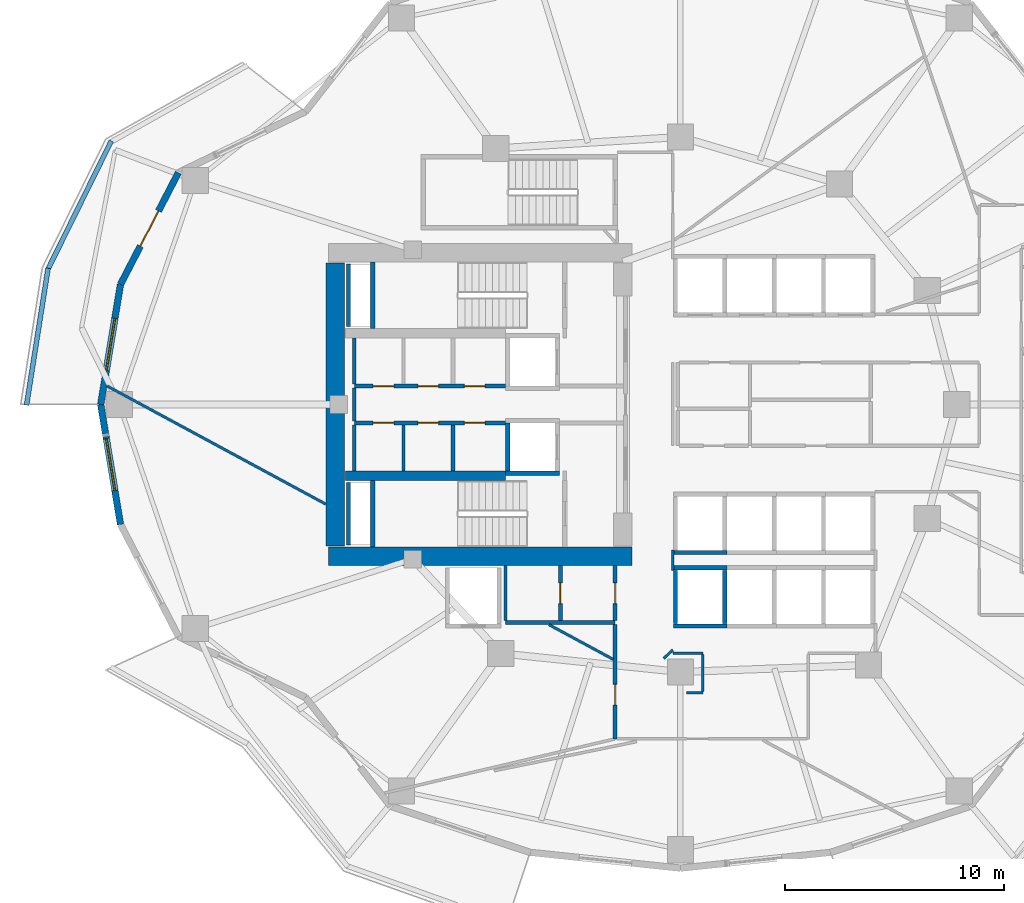
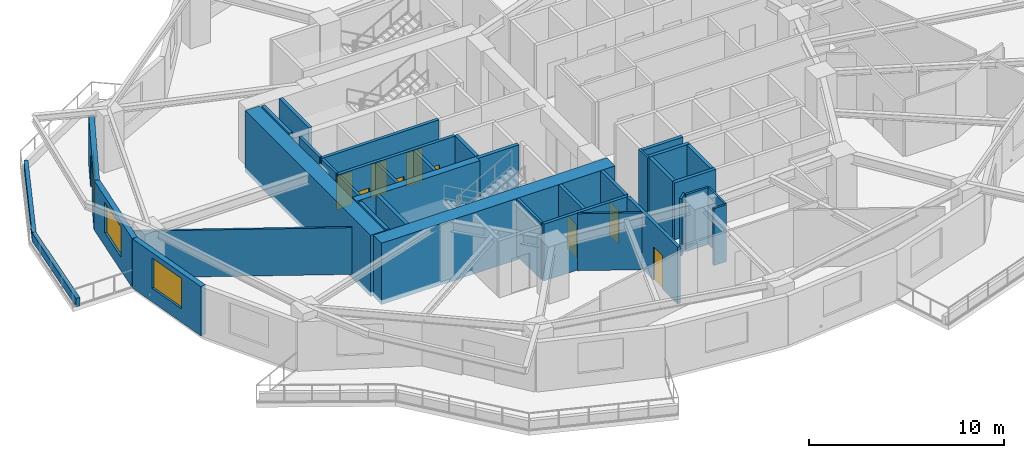
# One storey, part 3 of 11: 38 walls, 10 doors, 2 windows, 12 openings.
"""IFC4 building model written with IfcOpenShell, lengths in metres."""

from ifc_helpers import new_model, si_unit, direction, frame, frame_2d, origin, place, context, subcontext, project, spatial, rectangle, extrude, material, layer, layer_set, type_object, element, fill, save


model = new_model("IFC4")

# Units and contexts
model_context = context("Model", 3, precision=1e-05, world=origin(), true_north=direction((0.0, 1.0)))
body_context = subcontext(model_context, "Body", "Model", "MODEL_VIEW")
ifc_project = project(units=[si_unit("LENGTHUNIT", "METRE"), si_unit("AREAUNIT", "SQUARE_METRE"), si_unit("VOLUMEUNIT", "CUBIC_METRE"), si_unit("PLANEANGLEUNIT", "RADIAN"), si_unit("MASSUNIT", "GRAM", prefix="KILO")], contexts=[model_context])

# Site, building, storey
site_placement = place(None, origin())
site = spatial("IfcSite", under=ifc_project, at=site_placement, CompositionType="ELEMENT")
building_placement = place(site_placement, origin())
building = spatial("IfcBuilding", under=site, at=building_placement, Name="Kolvaren Gate Tower and Convention Centre", CompositionType="ELEMENT")
storey_placement = place(building_placement, frame((0.0, 0.0, 88.10009765625)))
storey = spatial("IfcBuildingStorey", under=building, at=storey_placement, Name="L21", CompositionType="ELEMENT", Elevation=88.10009765625)

# Wall, openings, doors
ifc_material_1 = material(Name="Autoclaved Aerated Masonry Blockwork Class 4 (4.0 MPa)", Category="masonry")
ifc_layer_1 = layer(ifc_material_1, 0.179931640625)
ifc_layer_set_1 = layer_set([ifc_layer_1], Name="Autoclaved Aerated Masonry Blockwork Class 4 (4.0 MPa)")
wall_type_1 = type_object("IfcWallType", Name="ARCH-WL-COMP-180", PredefinedType="SOLIDWALL", material=ifc_layer_set_1)
wall_1_placement = place(storey_placement, frame((15.25, 27.840087890625, 0.0), z_axis=(0.0, 0.0, 1.0), x_axis=(1.0, 0.0, 0.0)))
wall_1 = element("IfcWall", 1, at=wall_1_placement, inside=storey, type_object=wall_type_1, Name="Interior Partition WL-L21-INT-004", PredefinedType="SOLIDWALL", context=body_context, shape_type="SweptSolid", body=[
    extrude(rectangle(XDim=6.89990234375, YDim=0.179931640625, at=frame_2d((3.449951171875, 0.0))), origin(), (0.0, 0.0, 1.0), 3.56982421875),
])
opening_1_placement = place(wall_1_placement, frame((5.02001953125, 0.0, 0.0)))
opening_1 = element("IfcOpeningElement", 2, at=opening_1_placement, cuts=wall_1, Name="Opening DR-01", PredefinedType="OPENING", context=body_context, shape_type="SweptSolid", body=[
    extrude(rectangle(XDim=0.949951171875, YDim=2.10009765625, at=frame_2d((0.47509765625, 1.050048828125))), frame((0.0, 0.099853515625, 0.0), z_axis=(0.0, -1.0, 0.0), x_axis=(1.0, 0.0, 0.0)), (0.0, 0.0, 1.0), 0.199951171875),
])
opening_2_placement = place(wall_1_placement, frame((0.85498046875, 0.0, 0.0)))
opening_2 = element("IfcOpeningElement", 3, at=opening_2_placement, cuts=wall_1, Name="Opening DR-01", PredefinedType="OPENING", context=body_context, shape_type="SweptSolid", body=[
    extrude(rectangle(XDim=0.949951171875, YDim=2.10009765625, at=frame_2d((0.47509765625, 1.050048828125))), frame((0.0, 0.099853515625, 0.0), z_axis=(0.0, -1.0, 0.0), x_axis=(1.0, 0.0, 0.0)), (0.0, 0.0, 1.0), 0.199951171875),
])
opening_3_placement = place(wall_1_placement, frame((2.89990234375, 0.0, 0.0)))
opening_3 = element("IfcOpeningElement", 4, at=opening_3_placement, cuts=wall_1, Name="Opening DR-01", PredefinedType="OPENING", context=body_context, shape_type="SweptSolid", body=[
    extrude(rectangle(XDim=0.949951171875, YDim=2.10009765625, at=frame_2d((0.47509765625, 1.050048828125))), frame((0.0, 0.099853515625, 0.0), z_axis=(0.0, -1.0, 0.0), x_axis=(1.0, 0.0, 0.0)), (0.0, 0.0, 1.0), 0.199951171875),
])
ifc_material_2 = material(Name="Painted Architectural Steelwork ASTM A500 Grade C 345 MPa", Category="steel")
door_type_1 = type_object("IfcDoorType", Name="ARCH-DR-RISER-950", OperationType="SINGLE_SWING_RIGHT", PredefinedType="DOOR", material=ifc_material_2)
door_1_placement = place(opening_1_placement, origin())
door_1 = element("IfcDoor", 5, at=door_1_placement, inside=storey, type_object=door_type_1, Name="Electrical Switchgear Closet Door", OperationType="SINGLE_SWING_RIGHT", OverallHeight=2.10009765625, OverallWidth=0.949951171875, PredefinedType="DOOR", context=body_context, shape_type="SweptSolid", body=[
    extrude(rectangle(XDim=0.949951171875, YDim=2.10009765625, at=frame_2d((0.47509765625, 1.050048828125))), frame((0.0, 0.02490234375, 0.0), z_axis=(0.0, -1.0, 0.0), x_axis=(1.0, 0.0, 0.0)), (0.0, 0.0, 1.0), 0.050048828125),
])
fill(opening_1, door_1)
door_2_placement = place(opening_2_placement, origin())
door_2 = element("IfcDoor", 6, at=door_2_placement, inside=storey, type_object=door_type_1, Name="Staff Accessible WC Door", OperationType="SINGLE_SWING_RIGHT", OverallHeight=2.10009765625, OverallWidth=0.949951171875, PredefinedType="DOOR", context=body_context, shape_type="SweptSolid", body=[
    extrude(rectangle(XDim=0.949951171875, YDim=2.10009765625, at=frame_2d((0.47509765625, 1.050048828125))), frame((0.0, 0.02490234375, 0.0), z_axis=(0.0, -1.0, 0.0), x_axis=(1.0, 0.0, 0.0)), (0.0, 0.0, 1.0), 0.050048828125),
])
fill(opening_2, door_2)
door_3_placement = place(opening_3_placement, origin())
door_3 = element("IfcDoor", 7, at=door_3_placement, inside=storey, type_object=door_type_1, Name="Housekeeping Sink Closet Door", OperationType="SINGLE_SWING_LEFT", OverallHeight=2.10009765625, OverallWidth=0.949951171875, PredefinedType="DOOR", context=body_context, shape_type="SweptSolid", body=[
    extrude(rectangle(XDim=0.949951171875, YDim=2.10009765625, at=frame_2d((0.47509765625, 1.050048828125))), frame((0.0, 0.02490234375, 0.0), z_axis=(0.0, -1.0, 0.0), x_axis=(1.0, 0.0, 0.0)), (0.0, 0.0, 1.0), 0.050048828125),
])
fill(opening_3, door_3)

wall_2_placement = place(storey_placement, frame((15.25, 26.159912109375, 0.0), z_axis=(0.0, 0.0, 1.0), x_axis=(1.0, 0.0, 0.0)))
wall_2 = element("IfcWall", 8, at=wall_2_placement, inside=storey, type_object=wall_type_1, Name="Interior Partition WL-L21-INT-005", PredefinedType="SOLIDWALL", context=body_context, shape_type="SweptSolid", body=[
    extrude(rectangle(XDim=6.89990234375, YDim=0.179931640625, at=frame_2d((3.449951171875, 0.0))), origin(), (0.0, 0.0, 1.0), 3.56982421875),
])
opening_4_placement = place(wall_2_placement, frame((5.02001953125, 0.0, 0.0)))
opening_4 = element("IfcOpeningElement", 9, at=opening_4_placement, cuts=wall_2, Name="Opening DR-01", PredefinedType="OPENING", context=body_context, shape_type="SweptSolid", body=[
    extrude(rectangle(XDim=0.949951171875, YDim=2.10009765625, at=frame_2d((0.47509765625, 1.050048828125))), frame((0.0, 0.099853515625, 0.0), z_axis=(0.0, -1.0, 0.0), x_axis=(1.0, 0.0, 0.0)), (0.0, 0.0, 1.0), 0.199951171875),
])
opening_5_placement = place(wall_2_placement, frame((0.85498046875, 0.0, 0.0)))
opening_5 = element("IfcOpeningElement", 10, at=opening_5_placement, cuts=wall_2, Name="Opening DR-01", PredefinedType="OPENING", context=body_context, shape_type="SweptSolid", body=[
    extrude(rectangle(XDim=0.949951171875, YDim=2.10009765625, at=frame_2d((0.47509765625, 1.050048828125))), frame((0.0, 0.099853515625, 0.0), z_axis=(0.0, -1.0, 0.0), x_axis=(1.0, 0.0, 0.0)), (0.0, 0.0, 1.0), 0.199951171875),
])
opening_6_placement = place(wall_2_placement, frame((2.89990234375, 0.0, 0.0)))
opening_6 = element("IfcOpeningElement", 11, at=opening_6_placement, cuts=wall_2, Name="Opening DR-01", PredefinedType="OPENING", context=body_context, shape_type="SweptSolid", body=[
    extrude(rectangle(XDim=0.949951171875, YDim=2.10009765625, at=frame_2d((0.47509765625, 1.050048828125))), frame((0.0, 0.099853515625, 0.0), z_axis=(0.0, -1.0, 0.0), x_axis=(1.0, 0.0, 0.0)), (0.0, 0.0, 1.0), 0.199951171875),
])
door_4_placement = place(opening_4_placement, origin())
door_4 = element("IfcDoor", 12, at=door_4_placement, inside=storey, type_object=door_type_1, Name="Domestic Water Meter Closet Door", OperationType="SINGLE_SWING_LEFT", OverallHeight=2.10009765625, OverallWidth=0.949951171875, PredefinedType="DOOR", context=body_context, shape_type="SweptSolid", body=[
    extrude(rectangle(XDim=0.949951171875, YDim=2.10009765625, at=frame_2d((0.47509765625, 1.050048828125))), frame((0.0, 0.02490234375, 0.0), z_axis=(0.0, -1.0, 0.0), x_axis=(1.0, 0.0, 0.0)), (0.0, 0.0, 1.0), 0.050048828125),
])
fill(opening_4, door_4)
door_5_placement = place(opening_5_placement, origin())
door_5 = element("IfcDoor", 13, at=door_5_placement, inside=storey, type_object=door_type_1, Name="Beverage Service Pantry Door", OperationType="SINGLE_SWING_RIGHT", OverallHeight=2.10009765625, OverallWidth=0.949951171875, PredefinedType="DOOR", context=body_context, shape_type="SweptSolid", body=[
    extrude(rectangle(XDim=0.949951171875, YDim=2.10009765625, at=frame_2d((0.47509765625, 1.050048828125))), frame((0.0, 0.02490234375, 0.0), z_axis=(0.0, -1.0, 0.0), x_axis=(1.0, 0.0, 0.0)), (0.0, 0.0, 1.0), 0.050048828125),
])
fill(opening_5, door_5)
door_6_placement = place(opening_6_placement, origin())
door_6 = element("IfcDoor", 14, at=door_6_placement, inside=storey, type_object=door_type_1, Name="Archive Supply Closet Door", OperationType="SINGLE_SWING_LEFT", OverallHeight=2.10009765625, OverallWidth=0.949951171875, PredefinedType="DOOR", context=body_context, shape_type="SweptSolid", body=[
    extrude(rectangle(XDim=0.949951171875, YDim=2.10009765625, at=frame_2d((0.47509765625, 1.050048828125))), frame((0.0, 0.02490234375, 0.0), z_axis=(0.0, -1.0, 0.0), x_axis=(1.0, 0.0, 0.0)), (0.0, 0.0, 1.0), 0.050048828125),
])
fill(opening_6, door_6)

# Walls
wall_3_placement = place(storey_placement, frame((19.75, 23.9619140625, 0.0), z_axis=(0.0, 0.0, 1.0), x_axis=(0.0, 1.0, 0.0)))
element("IfcWall", 15, at=wall_3_placement, inside=storey, type_object=wall_type_1, Name="Interior Partition WL-L21-INT-007", PredefinedType="SOLIDWALL", context=body_context, shape_type="SweptSolid", body=[
    extrude(rectangle(XDim=2.106201171875, YDim=0.179931640625, at=frame_2d((1.05322265625, 0.0))), origin(), (0.0, 0.0, 1.0), 3.56982421875),
])
wall_4_placement = place(storey_placement, frame((22.14990234375, 17.050048828125, 0.0), z_axis=(0.0, 0.0, 1.0), x_axis=(1.0, 0.0, 0.0)))
element("IfcWall", 16, at=wall_4_placement, inside=storey, type_object=wall_type_1, Name="Interior Partition WL-L21-INT-011", PredefinedType="SOLIDWALL", context=body_context, shape_type="SweptSolid", body=[
    extrude(rectangle(XDim=5.0, YDim=0.179931640625, at=frame_2d((2.5, 0.0))), origin(), (0.0, 0.0, 1.0), 3.56982421875),
])

# Wall, opening, door
wall_5_placement = place(storey_placement, frame((24.64990234375, 17.14208984375, 0.0), z_axis=(0.0, 0.0, 1.0), x_axis=(0.0, 1.0, 0.0)))
wall_5 = element("IfcWall", 17, at=wall_5_placement, inside=storey, type_object=wall_type_1, Name="Interior Partition WL-L21-INT-013", PredefinedType="SOLIDWALL", context=body_context, shape_type="SweptSolid", body=[
    extrude(rectangle(XDim=2.505859375, YDim=0.179931640625, at=frame_2d((1.2529296875, 0.0))), origin(), (0.0, 0.0, 1.0), 3.56982421875),
])
opening_7_placement = place(wall_5_placement, frame((0.778076171875, 0.0, 0.0)))
opening_7 = element("IfcOpeningElement", 18, at=opening_7_placement, cuts=wall_5, Name="Opening DR-01", PredefinedType="OPENING", context=body_context, shape_type="SweptSolid", body=[
    extrude(rectangle(XDim=0.949951171875, YDim=2.10009765625, at=frame_2d((0.47509765625, 1.050048828125))), frame((0.0, 0.099853515625, 0.0), z_axis=(0.0, -1.0, 0.0), x_axis=(1.0, 0.0, 0.0)), (0.0, 0.0, 1.0), 0.199951171875),
])
door_7_placement = place(opening_7_placement, origin())
door_7 = element("IfcDoor", 19, at=door_7_placement, inside=storey, type_object=door_type_1, Name="West Valet Store Door", OperationType="SINGLE_SWING_LEFT", OverallHeight=2.10009765625, OverallWidth=0.949951171875, PredefinedType="DOOR", context=body_context, shape_type="SweptSolid", body=[
    extrude(rectangle(XDim=0.949951171875, YDim=2.10009765625, at=frame_2d((0.47509765625, 1.050048828125))), frame((0.0, 0.02490234375, 0.0), z_axis=(0.0, -1.0, 0.0), x_axis=(1.0, 0.0, 0.0)), (0.0, 0.0, 1.0), 0.050048828125),
])
fill(opening_7, door_7)

wall_6_placement = place(storey_placement, frame((27.14990234375, 11.75, 0.0), z_axis=(0.0, 0.0, 1.0), x_axis=(0.0, 1.0, 0.0)))
wall_6 = element("IfcWall", 20, at=wall_6_placement, inside=storey, type_object=wall_type_1, Name="Interior Partition WL-L21-INT-014", PredefinedType="SOLIDWALL", context=body_context, shape_type="SweptSolid", body=[
    extrude(rectangle(XDim=5.2080078125, YDim=0.179931640625, at=frame_2d((2.60400390625, 0.0))), origin(), (0.0, 0.0, 1.0), 3.56982421875),
])
opening_8_placement = place(wall_6_placement, frame((1.535400390625, 0.0, 0.0)))
opening_8 = element("IfcOpeningElement", 21, at=opening_8_placement, cuts=wall_6, Name="Opening DR-01", PredefinedType="OPENING", context=body_context, shape_type="SweptSolid", body=[
    extrude(rectangle(XDim=0.949951171875, YDim=2.10009765625, at=frame_2d((0.47509765625, 1.050048828125))), frame((0.0, 0.099853515625, 0.0), z_axis=(0.0, -1.0, 0.0), x_axis=(1.0, 0.0, 0.0)), (0.0, 0.0, 1.0), 0.199951171875),
])
door_8_placement = place(opening_8_placement, origin())
door_8 = element("IfcDoor", 22, at=door_8_placement, inside=storey, type_object=door_type_1, Name="Conference and Training Seminar Room Door", OperationType="SINGLE_SWING_LEFT", OverallHeight=2.10009765625, OverallWidth=0.949951171875, PredefinedType="DOOR", context=body_context, shape_type="SweptSolid", body=[
    extrude(rectangle(XDim=0.949951171875, YDim=2.10009765625, at=frame_2d((0.47509765625, 1.050048828125))), frame((0.0, 0.02490234375, 0.0), z_axis=(0.0, -1.0, 0.0), x_axis=(1.0, 0.0, 0.0)), (0.0, 0.0, 1.0), 0.050048828125),
])
fill(opening_8, door_8)

wall_7_placement = place(storey_placement, frame((27.14990234375, 17.14208984375, 0.0), z_axis=(0.0, 0.0, 1.0), x_axis=(0.0, 1.0, 0.0)))
wall_7 = element("IfcWall", 23, at=wall_7_placement, inside=storey, type_object=wall_type_1, Name="Interior Partition WL-L21-INT-014 (2)", PredefinedType="SOLIDWALL", context=body_context, shape_type="SweptSolid", body=[
    extrude(rectangle(XDim=2.505859375, YDim=0.179931640625, at=frame_2d((1.2529296875, 0.0))), origin(), (0.0, 0.0, 1.0), 3.56982421875),
])
opening_9_placement = place(wall_7_placement, frame((0.778076171875, 0.0, 0.0)))
opening_9 = element("IfcOpeningElement", 24, at=opening_9_placement, cuts=wall_7, Name="Opening DR-01", PredefinedType="OPENING", context=body_context, shape_type="SweptSolid", body=[
    extrude(rectangle(XDim=0.949951171875, YDim=2.10009765625, at=frame_2d((0.47509765625, 1.050048828125))), frame((0.0, 0.099853515625, 0.0), z_axis=(0.0, -1.0, 0.0), x_axis=(1.0, 0.0, 0.0)), (0.0, 0.0, 1.0), 0.199951171875),
])
door_9_placement = place(opening_9_placement, origin())
door_9 = element("IfcDoor", 25, at=door_9_placement, inside=storey, type_object=door_type_1, Name="Metering Switch Room Door", OperationType="SINGLE_SWING_RIGHT", OverallHeight=2.10009765625, OverallWidth=0.949951171875, PredefinedType="DOOR", context=body_context, shape_type="SweptSolid", body=[
    extrude(rectangle(XDim=0.949951171875, YDim=2.10009765625, at=frame_2d((0.47509765625, 1.050048828125))), frame((0.0, 0.02490234375, 0.0), z_axis=(0.0, -1.0, 0.0), x_axis=(1.0, 0.0, 0.0)), (0.0, 0.0, 1.0), 0.050048828125),
])
fill(opening_9, door_9)

# Walls
ifc_material_3 = material(Name="Fire-Rated Acoustic Gypsum Stud Partition", Category="gypsum")
ifc_layer_2 = layer(ifc_material_3, 0.1201171875)
ifc_layer_set_2 = layer_set([ifc_layer_2], Name="Fire-Rated Acoustic Gypsum Stud Partition")
wall_type_2 = type_object("IfcWallType", Name="ARCH-WL-PART-120", PredefinedType="PARTITIONING", material=ifc_layer_set_2)
wall_8_placement = place(storey_placement, frame((29.780029296875, 15.64990234375, 0.0), z_axis=(0.0, 0.0, 1.0), x_axis=(1.0, 0.0, 0.0)))
element("IfcWall", 26, at=wall_8_placement, inside=storey, type_object=wall_type_2, Name="Interior Partition WL-L21-INT-022", PredefinedType="PARTITIONING", context=body_context, shape_type="SweptSolid", body=[
    extrude(rectangle(XDim=1.369873046875, YDim=0.1201171875, at=frame_2d((0.68505859375, 0.0))), origin(), (0.0, 0.0, 1.0), 3.56982421875),
])
wall_9_placement = place(storey_placement, frame((29.780029296875, 19.43994140625, 0.0), z_axis=(0.0, 0.0, 1.0), x_axis=(0.0, 1.0, 0.0)))
element("IfcWall", 27, at=wall_9_placement, inside=storey, type_object=wall_type_2, Name="Interior Partition WL-L21-INT-028", PredefinedType="PARTITIONING", context=body_context, shape_type="SweptSolid", body=[
    extrude(rectangle(XDim=0.920166015625, YDim=0.1201171875, at=frame_2d((0.4599609375, 0.0))), origin(), (0.0, 0.0, 1.0), 3.56982421875),
])
wall_10_placement = place(storey_placement, frame((29.366943359375, 15.422119140625, 0.0), z_axis=(0.0, 0.0, 1.0), x_axis=(0.730667420492, 0.682733564893, 0.0)))
element("IfcWall", 28, at=wall_10_placement, inside=storey, type_object=wall_type_2, Name="Interior Partition WL-L21-INT-045", PredefinedType="PARTITIONING", context=body_context, shape_type="SweptSolid", body=[
    extrude(rectangle(XDim=0.5654296875, YDim=0.1201171875, at=frame_2d((0.28271484375, 0.0))), origin(), (0.0, 0.0, 1.0), 3.56982421875),
])
wall_11_placement = place(storey_placement, frame((30.39111328125, 13.85009765625, 0.0), z_axis=(0.0, 0.0, 1.0), x_axis=(1.0, 0.0, 0.0)))
element("IfcWall", 29, at=wall_11_placement, inside=storey, type_object=wall_type_2, Name="Interior Partition WL-L21-INT-046", PredefinedType="PARTITIONING", context=body_context, shape_type="SweptSolid", body=[
    extrude(rectangle(XDim=0.7587890625, YDim=0.1201171875, at=frame_2d((0.37939453125, 0.0))), origin(), (0.0, 0.0, 1.0), 3.56982421875),
])
wall_12_placement = place(storey_placement, frame((31.14990234375, 13.912109375, 0.0), z_axis=(0.0, 0.0, 1.0), x_axis=(0.0, 1.0, 0.0)))
element("IfcWall", 30, at=wall_12_placement, inside=storey, type_object=wall_type_2, Name="Interior Partition WL-L21-INT-047", PredefinedType="PARTITIONING", context=body_context, shape_type="SweptSolid", body=[
    extrude(rectangle(XDim=1.67578125, YDim=0.1201171875, at=frame_2d((0.837890625, 0.0))), origin(), (0.0, 0.0, 1.0), 3.56982421875),
])
wall_13_placement = place(storey_placement, frame((3.97998046875, 27.841796875, 0.0), z_axis=(0.0, 0.0, 1.0), x_axis=(0.87986629228, -0.475221324974, 0.0)))
element("IfcWall", 31, at=wall_13_placement, inside=storey, type_object=wall_type_2, Name="Interior Partition WL-L21-INT-048", PredefinedType="PARTITIONING", context=body_context, shape_type="SweptSolid", body=[
    extrude(rectangle(XDim=11.3291015625, YDim=0.1201171875, at=frame_2d((5.66455078125, 0.0))), origin(), (0.0, 0.0, 1.0), 2.933837890625),
])
wall_14_placement = place(storey_placement, frame((24.131591796875, 16.9580078125, 0.0), z_axis=(0.0, 0.0, 1.0), x_axis=(0.879874093471, -0.475206880882, 0.0)))
element("IfcWall", 32, at=wall_14_placement, inside=storey, type_object=wall_type_2, Name="Interior Partition WL-L21-INT-049", PredefinedType="PARTITIONING", context=body_context, shape_type="SweptSolid", body=[
    extrude(rectangle(XDim=3.326171875, YDim=0.1201171875, at=frame_2d((1.6630859375, 0.0))), origin(), (0.0, 0.0, 1.0), 3.56982421875),
])
ifc_material_4 = material(Name="Piedmont Cream Honed Limestone Cladding", Category="masonry")
ifc_layer_3 = layer(ifc_material_4, 0.219970703125)
ifc_layer_set_3 = layer_set([ifc_layer_3], Name="Piedmont Cream Honed Limestone Cladding")
wall_type_3 = type_object("IfcWallType", Name="ARCH-WL-PLANTER-220", PredefinedType="PARAPET", material=ifc_layer_set_3)
wall_15_placement = place(storey_placement, frame((1.275390625, 33.153076171875, 0.0), z_axis=(0.0, 0.0, 1.0), x_axis=(0.442686636348, 0.89667638644, 0.0)))
element("IfcWall", 33, at=wall_15_placement, inside=storey, type_object=wall_type_3, Name="Vertical-Forest Balcony Stone Planter Kerb PK-L21-2.2", PredefinedType="PARAPET", context=body_context, shape_type="SweptSolid", body=[
    extrude(rectangle(XDim=6.544677734375, YDim=0.219970703125, at=frame_2d((3.2724609375, 0.0))), origin(), (0.0, 0.0, 1.0), 0.52001953125),
])
wall_16_placement = place(storey_placement, frame((0.305908203125, 26.970703125, 0.0), z_axis=(0.0, 0.0, 1.0), x_axis=(0.15545655238, 0.987842730561, 0.0)))
element("IfcWall", 34, at=wall_16_placement, inside=storey, type_object=wall_type_3, Name="Vertical-Forest Balcony Stone Planter Kerb PK-L21-2.3", PredefinedType="PARAPET", context=body_context, shape_type="SweptSolid", body=[
    extrude(rectangle(XDim=6.318115234375, YDim=0.219970703125, at=frame_2d((3.1591796875, 0.0))), origin(), (0.0, 0.0, 1.0), 0.52001953125),
])
ifc_layer_4 = layer(ifc_material_1, 0.199951171875)
ifc_layer_set_4 = layer_set([ifc_layer_4], Name="Autoclaved Aerated Masonry Blockwork Class 4 (4.0 MPa)")
wall_type_4 = type_object("IfcWallType", Name="ARCH-WL-SHAFT-200", PredefinedType="SOLIDWALL", material=ifc_layer_set_4)
wall_17_placement = place(storey_placement, frame((22.14990234375, 23.860107421875, 0.0), z_axis=(0.0, 0.0, 1.0), x_axis=(1.0, 0.0, 0.0)))
element("IfcWall", 35, at=wall_17_placement, inside=storey, type_object=wall_type_4, Name="Elevator FF-02 L21 Fire Shaft Wall S", PredefinedType="SOLIDWALL", context=body_context, shape_type="SweptSolid", body=[
    extrude(rectangle(XDim=2.4501953125, YDim=0.199951171875, at=frame_2d((1.22509765625, 0.0))), origin(), (0.0, 0.0, 1.0), 3.56982421875),
])
wall_18_placement = place(storey_placement, frame((22.25, 23.969970703125, 0.0), z_axis=(0.0, 0.0, 1.0), x_axis=(0.0, 1.0, 0.0)))
element("IfcWall", 36, at=wall_18_placement, inside=storey, type_object=wall_type_4, Name="Elevator FF-02 L21 Fire Shaft Wall W", PredefinedType="SOLIDWALL", context=body_context, shape_type="SweptSolid", body=[
    extrude(rectangle(XDim=2.179931640625, YDim=0.199951171875, at=frame_2d((1.08984375, 0.0))), origin(), (0.0, 0.0, 1.0), 3.56982421875),
])
for number, where, z_axis, x_axis, name in (
    (37, (29.800048828125, 19.550048828125, 0.0), (0.0, 0.0, 1.0), (1.0, 0.0, 0.0), "Elevator PL-05 L21 Fire Shaft Wall N"),
    (38, (29.800048828125, 16.89990234375, 0.0), (0.0, 0.0, 1.0), (1.0, 0.0, 0.0), "Elevator PL-05 L21 Fire Shaft Wall S"),
):
    element("IfcWall", number, at=place(storey_placement, frame(where, z_axis=z_axis, x_axis=x_axis)), inside=storey, type_object=wall_type_4, Name=name, PredefinedType="SOLIDWALL", context=body_context, shape_type="SweptSolid", body=[
        extrude(rectangle(XDim=2.449951171875, YDim=0.199951171875, at=frame_2d((1.22509765625, 0.0))), origin(), (0.0, 0.0, 1.0), 3.56982421875),
    ])
for number, where, z_axis, x_axis, name in (
    (39, (29.89990234375, 17.010009765625, 0.0), (0.0, 0.0, 1.0), (0.0, 1.0, 0.0), "Elevator PL-05 L21 Fire Shaft Wall W"),
    (40, (32.14990234375, 17.010009765625, 0.0), (0.0, 0.0, 1.0), (0.0, 1.0, 0.0), "Elevator PL-05 L21 Fire Shaft Wall E"),
):
    element("IfcWall", number, at=place(storey_placement, frame(where, z_axis=z_axis, x_axis=x_axis)), inside=storey, type_object=wall_type_4, Name=name, PredefinedType="SOLIDWALL", context=body_context, shape_type="SweptSolid", body=[
        extrude(rectangle(XDim=2.429931640625, YDim=0.199951171875, at=frame_2d((1.21484375, 0.0))), origin(), (0.0, 0.0, 1.0), 3.56982421875),
    ])
wall_19_placement = place(storey_placement, frame((29.800048828125, 20.25, 0.0), z_axis=(0.0, 0.0, 1.0), x_axis=(1.0, 0.0, 0.0)))
element("IfcWall", 41, at=wall_19_placement, inside=storey, type_object=wall_type_4, Name="Elevator PL-09 L21 Fire Shaft Wall S", PredefinedType="SOLIDWALL", context=body_context, shape_type="SweptSolid", body=[
    extrude(rectangle(XDim=2.449951171875, YDim=0.199951171875, at=frame_2d((1.22509765625, 0.0))), origin(), (0.0, 0.0, 1.0), 3.56982421875),
])
for number, where, z_axis, x_axis, name in (
    (42, (14.989990234375, 30.550048828125, 0.0), (0.0, 0.0, 1.0), (0.0, 1.0, 0.0), "Vertical Shaft HVR L21 EI-120 Enclosure Wall W"),
    (43, (14.989990234375, 20.60009765625, 0.0), (0.0, 0.0, 1.0), (0.0, 1.0, 0.0), "Vertical Shaft MPR L21 EI-120 Enclosure Wall W"),
):
    element("IfcWall", number, at=place(storey_placement, frame(where, z_axis=z_axis, x_axis=x_axis)), inside=storey, type_object=wall_type_4, Name=name, PredefinedType="SOLIDWALL", context=body_context, shape_type="SweptSolid", body=[
        extrude(rectangle(XDim=2.849853515625, YDim=0.199951171875, at=frame_2d((1.4248046875, 0.0))), origin(), (0.0, 0.0, 1.0), 3.56982421875),
    ])

# Wall, opening, door
ifc_layer_5 = layer(ifc_material_4, 0.300048828125)
ifc_layer_set_5 = layer_set([ifc_layer_5], Name="Piedmont Cream Honed Limestone Cladding")
wall_type_5 = type_object("IfcWallType", Name="ARCH-WL-STONE-300", PredefinedType="SOLIDWALL", material=ifc_layer_set_5)
wall_20_placement = place(storey_placement, frame((4.58837890625, 32.47412109375, 0.0), z_axis=(0.0, 0.0, 1.0), x_axis=(0.459800981414, 0.888021991558, 0.0)))
wall_20 = element("IfcWall", 44, at=wall_20_placement, inside=storey, type_object=wall_type_5, Name="Tower L21 Honed Stone Spandrel Wall EW-10", PredefinedType="SOLIDWALL", context=body_context, shape_type="SweptSolid", body=[
    extrude(rectangle(XDim=5.744140625, YDim=0.300048828125, at=frame_2d((2.8720703125, 0.0))), origin(), (0.0, 0.0, 1.0), 3.093017578125),
])
opening_10_placement = place(wall_20_placement, frame((1.971923828125, 0.0, 0.0)))
opening_10 = element("IfcOpeningElement", 45, at=opening_10_placement, cuts=wall_20, Name="Opening DB-01", PredefinedType="OPENING", context=body_context, shape_type="SweptSolid", body=[
    extrude(rectangle(XDim=1.800048828125, YDim=2.25, at=frame_2d((0.89990234375, 1.125))), frame((0.0, 0.159912109375, 0.0), z_axis=(0.0, -1.0, 0.0), x_axis=(1.0, 0.0, 0.0)), (0.0, 0.0, 1.0), 0.320068359375),
])
ifc_material_5 = material(Name="Anodized Architectural Aluminium Alloy 6063-T6", Category="aluminium")
door_type_2 = type_object("IfcDoorType", Name="ARCH-DR-BALC-1800", OperationType="SLIDING_TO_LEFT", PredefinedType="DOOR", material=ifc_material_5)
door_10_placement = place(opening_10_placement, origin())
door_10 = element("IfcDoor", 46, at=door_10_placement, inside=storey, type_object=door_type_2, Name="Planted Sky Terrace Access Door DB-L21-10", OperationType="SLIDING_TO_LEFT", OverallHeight=2.25, OverallWidth=1.800048828125, PredefinedType="DOOR", context=body_context, shape_type="SweptSolid", body=[
    extrude(rectangle(XDim=1.800048828125, YDim=2.25, at=frame_2d((0.89990234375, 1.125))), frame((0.0, 0.02490234375, 0.0), z_axis=(0.0, -1.0, 0.0), x_axis=(1.0, 0.0, 0.0)), (0.0, 0.0, 1.0), 0.050048828125),
])
fill(opening_10, door_10)

# Wall, opening, window
wall_21_placement = place(storey_placement, frame((3.6875, 27.0, 0.0), z_axis=(0.0, 0.0, 1.0), x_axis=(0.162386212206, 0.986727276447, 0.0)))
wall_21 = element("IfcWall", 47, at=wall_21_placement, inside=storey, type_object=wall_type_5, Name="Tower L21 Honed Stone Spandrel Wall EW-11", PredefinedType="SOLIDWALL", context=body_context, shape_type="SweptSolid", body=[
    extrude(rectangle(XDim=5.5478515625, YDim=0.300048828125, at=frame_2d((2.77392578125, 0.0))), origin(), (0.0, 0.0, 1.0), 3.093017578125),
])
opening_11_placement = place(wall_21_placement, frame((1.573974609375, 0.0, 0.85009765625)))
opening_11 = element("IfcOpeningElement", 48, at=opening_11_placement, cuts=wall_21, Name="Opening W-01", PredefinedType="OPENING", context=body_context, shape_type="SweptSolid", body=[
    extrude(rectangle(XDim=2.39990234375, YDim=1.89990234375, at=frame_2d((1.199951171875, 0.949951171875))), frame((0.0, 0.159912109375, 0.0), z_axis=(0.0, -1.0, 0.0), x_axis=(1.0, 0.0, 0.0)), (0.0, 0.0, 1.0), 0.320068359375),
])
ifc_material_6 = material(Name="Low-E Triple Insulated Glazing Unit 44 mm", Category="glass")
window_type = type_object("IfcWindowType", Name="ARCH-WN-OFF-2400", PartitioningType="SINGLE_PANEL", PredefinedType="WINDOW", material=ifc_material_6)
window_1_placement = place(opening_11_placement, origin())
window_1 = element("IfcWindow", 49, at=window_1_placement, inside=storey, type_object=window_type, Name="Tower L21 Punched Stone Facade Window W-11", OverallHeight=1.89990234375, OverallWidth=2.39990234375, PartitioningType="SINGLE_PANEL", PredefinedType="WINDOW", context=body_context, shape_type="SweptSolid", body=[
    extrude(rectangle(XDim=2.39990234375, YDim=1.89990234375, at=frame_2d((1.199951171875, 0.949951171875))), frame((0.0, 0.030029296875, 0.0), z_axis=(0.0, -1.0, 0.0), x_axis=(1.0, 0.0, 0.0)), (0.0, 0.0, 1.0), 0.06005859375),
])
fill(opening_11, window_1)

wall_22_placement = place(storey_placement, frame((3.6875, 27.0, 0.0), z_axis=(0.0, 0.0, 1.0), x_axis=(0.162386212206, -0.986727276447, 0.0)))
wall_22 = element("IfcWall", 50, at=wall_22_placement, inside=storey, type_object=wall_type_5, Name="Tower L21 Honed Stone Spandrel Wall EW-12", PredefinedType="SOLIDWALL", context=body_context, shape_type="SweptSolid", body=[
    extrude(rectangle(XDim=5.5478515625, YDim=0.300048828125, at=frame_2d((2.77392578125, 0.0))), origin(), (0.0, 0.0, 1.0), 3.093017578125),
])
opening_12_placement = place(wall_22_placement, frame((1.573974609375, 0.0, 0.85009765625)))
opening_12 = element("IfcOpeningElement", 51, at=opening_12_placement, cuts=wall_22, Name="Opening W-01", PredefinedType="OPENING", context=body_context, shape_type="SweptSolid", body=[
    extrude(rectangle(XDim=2.39990234375, YDim=1.89990234375, at=frame_2d((1.199951171875, 0.949951171875))), frame((0.0, 0.159912109375, 0.0), z_axis=(0.0, -1.0, 0.0), x_axis=(1.0, 0.0, 0.0)), (0.0, 0.0, 1.0), 0.320068359375),
])
window_2_placement = place(opening_12_placement, origin())
window_2 = element("IfcWindow", 52, at=window_2_placement, inside=storey, type_object=window_type, Name="Tower L21 Punched Stone Facade Window W-12", OverallHeight=1.89990234375, OverallWidth=2.39990234375, PartitioningType="SINGLE_PANEL", PredefinedType="WINDOW", context=body_context, shape_type="SweptSolid", body=[
    extrude(rectangle(XDim=2.39990234375, YDim=1.89990234375, at=frame_2d((1.199951171875, 0.949951171875))), frame((0.0, 0.030029296875, 0.0), z_axis=(0.0, -1.0, 0.0), x_axis=(1.0, 0.0, 0.0)), (0.0, 0.0, 1.0), 0.06005859375),
])
fill(opening_12, window_2)

# Walls
ifc_material_7 = material(Name="Moisture-Resistant Cement-Board Acoustic Partition", Category="gypsum")
ifc_layer_6 = layer(ifc_material_7, 0.14990234375)
ifc_layer_set_6 = layer_set([ifc_layer_6], Name="Moisture-Resistant Cement-Board Acoustic Partition")
wall_type_6 = type_object("IfcWallType", Name="ARCH-WL-WET-150", PredefinedType="PARTITIONING", material=ifc_layer_set_6)
wall_23_placement = place(storey_placement, frame((15.25, 23.9619140625, 0.0), z_axis=(0.0, 0.0, 1.0), x_axis=(0.0, 1.0, 0.0)))
element("IfcWall", 53, at=wall_23_placement, inside=storey, type_object=wall_type_6, Name="Interior Partition WL-L21-INT-006", PredefinedType="PARTITIONING", context=body_context, shape_type="SweptSolid", body=[
    extrude(rectangle(XDim=2.106201171875, YDim=0.14990234375, at=frame_2d((1.05322265625, 0.0))), origin(), (0.0, 0.0, 1.0), 3.56982421875),
])
wall_24_placement = place(storey_placement, frame((15.25, 26.251953125, 0.0), z_axis=(0.0, 0.0, 1.0), x_axis=(0.0, 1.0, 0.0)))
element("IfcWall", 54, at=wall_24_placement, inside=storey, type_object=wall_type_6, Name="Interior Partition WL-L21-INT-006 (2)", PredefinedType="PARTITIONING", context=body_context, shape_type="SweptSolid", body=[
    extrude(rectangle(XDim=1.49609375, YDim=0.14990234375, at=frame_2d((0.748046875, 0.0))), origin(), (0.0, 0.0, 1.0), 3.56982421875),
])
for number, where, z_axis, x_axis, name in (
    (55, (15.25, 27.931884765625, 0.0), (0.0, 0.0, 1.0), (0.0, 1.0, 0.0), "Interior Partition WL-L21-INT-006 (3)"),
    (56, (17.5, 23.9619140625, 0.0), (0.0, 0.0, 1.0), (0.0, 1.0, 0.0), "Interior Partition WL-L21-INT-009"),
):
    element("IfcWall", number, at=place(storey_placement, frame(where, z_axis=z_axis, x_axis=x_axis)), inside=storey, type_object=wall_type_6, Name=name, PredefinedType="PARTITIONING", context=body_context, shape_type="SweptSolid", body=[
        extrude(rectangle(XDim=2.106201171875, YDim=0.14990234375, at=frame_2d((1.05322265625, 0.0))), origin(), (0.0, 0.0, 1.0), 3.56982421875),
    ])
wall_25_placement = place(storey_placement, frame((22.14990234375, 17.14208984375, 0.0), z_axis=(0.0, 0.0, 1.0), x_axis=(0.0, 1.0, 0.0)))
element("IfcWall", 57, at=wall_25_placement, inside=storey, type_object=wall_type_6, Name="Interior Partition WL-L21-INT-012", PredefinedType="PARTITIONING", context=body_context, shape_type="SweptSolid", body=[
    extrude(rectangle(XDim=2.505859375, YDim=0.14990234375, at=frame_2d((1.2529296875, 0.0))), origin(), (0.0, 0.0, 1.0), 3.56982421875),
])
ifc_material_8 = material(Name="Concrete C50/60", Category="concrete")
ifc_layer_7 = layer(ifc_material_8, 0.419921875)
ifc_layer_set_7 = layer_set([ifc_layer_7], Name="Concrete C50/60")
wall_type_7 = type_object("IfcWallType", Name="STR-WL-CONV-420", PredefinedType="SHEAR", material=ifc_layer_set_7)
wall_26_placement = place(storey_placement, frame((14.85009765625, 23.75, -0.280029296875), z_axis=(0.0, 0.0, 1.0), x_axis=(1.0, 0.0, 0.0)))
element("IfcWall", 58, at=wall_26_placement, inside=storey, type_object=wall_type_7, Name="Tower L21 Offset Core Shear Wall WS", PredefinedType="SHEAR", context=body_context, shape_type="SweptSolid", body=[
    extrude(rectangle(XDim=7.2998046875, YDim=0.419921875, at=frame_2d((3.64990234375, 0.0))), origin(), (0.0, 0.0, 1.0), 3.849853515625),
])
ifc_material_9 = material(Name="Concrete C70/85", Category="concrete")
ifc_layer_8 = layer(ifc_material_9, 0.85009765625)
ifc_layer_set_8 = layer_set([ifc_layer_8], Name="Concrete C70/85")
wall_type_8 = type_object("IfcWallType", Name="STR-WL-CORE-850", PredefinedType="SHEAR", material=ifc_layer_set_8)
wall_27_placement = place(storey_placement, frame((14.074951171875, 20.074951171875, -0.280029296875), z_axis=(0.0, 0.0, 1.0), x_axis=(1.0, 0.0, 0.0)))
element("IfcWall", 59, at=wall_27_placement, inside=storey, type_object=wall_type_8, Name="Tower L21 Offset Core Shear Wall S", PredefinedType="SHEAR", context=body_context, shape_type="SweptSolid", body=[
    extrude(rectangle(XDim=13.85009765625, YDim=0.85009765625, at=frame_2d((6.925048828125, 0.0))), origin(), (0.0, 0.0, 1.0), 3.849853515625),
])
wall_28_placement = place(storey_placement, frame((14.375, 20.550048828125, -0.280029296875), z_axis=(0.0, 0.0, 1.0), x_axis=(0.0, 1.0, 0.0)))
element("IfcWall", 60, at=wall_28_placement, inside=storey, type_object=wall_type_8, Name="Tower L21 Offset Core Shear Wall W", PredefinedType="SHEAR", context=body_context, shape_type="SweptSolid", body=[
    extrude(rectangle(XDim=12.89990234375, YDim=0.85009765625, at=frame_2d((6.449951171875, 0.0))), origin(), (0.0, 0.0, 1.0), 3.849853515625),
])
ifc_layer_9 = layer(ifc_material_8, 0.199951171875)
ifc_layer_set_9 = layer_set([ifc_layer_9], Name="Concrete C50/60")
wall_type_9 = type_object("IfcWallType", Name="STR-WL-SHAFT-200", PredefinedType="SHEAR", material=ifc_layer_set_9)
for number, where, z_axis, x_axis, name in (
    (61, (16.10009765625, 30.4619140625, -0.280029296875), (0.0, 0.0, 1.0), (0.0, 1.0, 0.0), "Tower North Exit Stair ST-T1 L21 Structural Shear Enclosure Wall FAR"),
    (62, (16.10009765625, 20.501953125, -0.280029296875), (0.0, 0.0, 1.0), (0.0, 1.0, 0.0), "Tower South Exit Stair ST-T2 L21 Structural Shear Enclosure Wall FAR"),
):
    element("IfcWall", number, at=place(storey_placement, frame(where, z_axis=z_axis, x_axis=x_axis)), inside=storey, type_object=wall_type_9, Name=name, PredefinedType="SHEAR", context=body_context, shape_type="SweptSolid", body=[
        extrude(rectangle(XDim=3.0361328125, YDim=0.199951171875, at=frame_2d((1.51806640625, 0.0))), origin(), (0.0, 0.0, 1.0), 3.849853515625),
    ])

save(model, "model.ifc")
